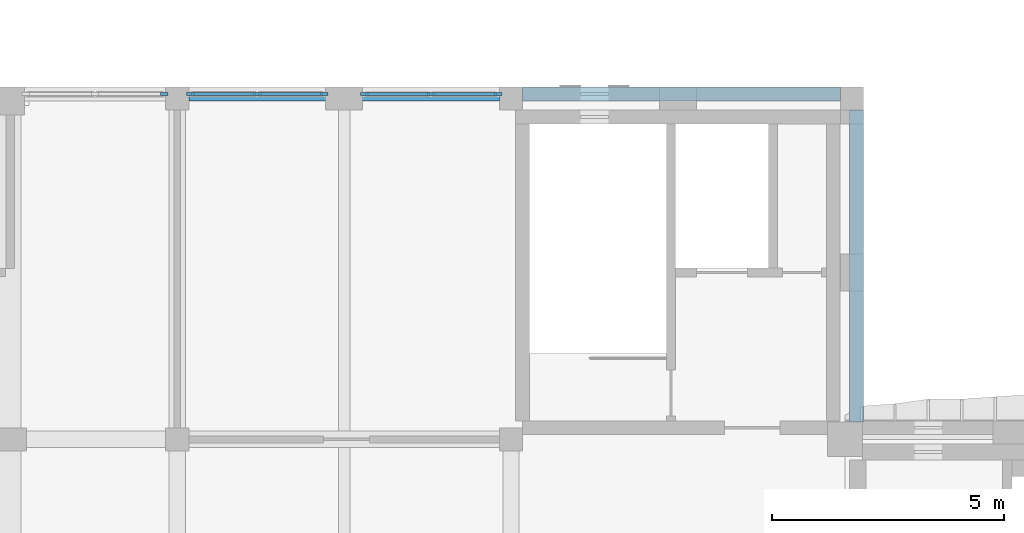
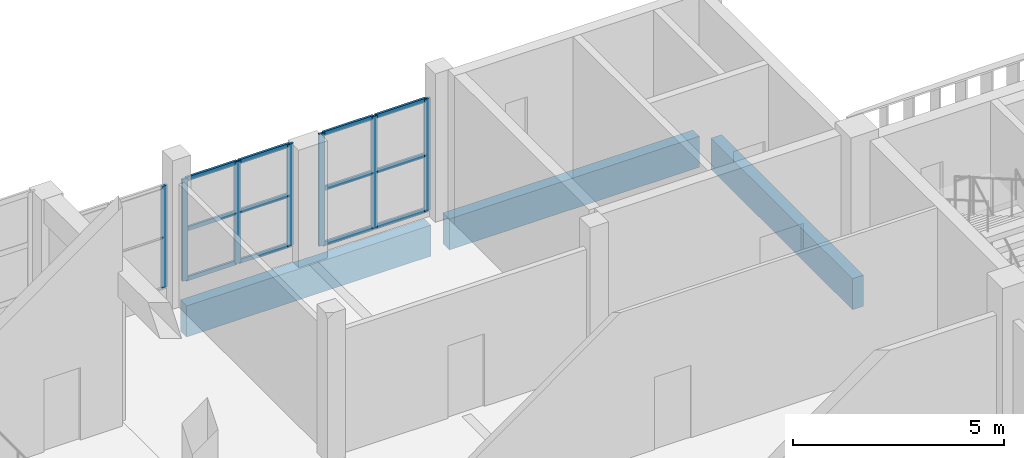
# One storey, part 11 of 54: 19 members, 3 beams, 3 elements without a shape of their own.
"""IFC4 building model written with IfcOpenShell, lengths in metres."""

from ifc_helpers import new_model, si_unit, direction, frame, origin, origin_2d, place, context, subcontext, project, spatial, rectangle, extrude, material, layer, layer_set, material_profile, profile_set, type_object, element, aggregate, save


model = new_model("IFC4")

# Units and contexts
model_context = context("Model", 3, precision=1e-05, world=origin(), true_north=direction((0.0, 1.0)))
body_context = subcontext(model_context, "Body", "Model", "MODEL_VIEW")
ifc_project = project(units=[si_unit("LENGTHUNIT", "METRE"), si_unit("AREAUNIT", "SQUARE_METRE"), si_unit("VOLUMEUNIT", "CUBIC_METRE"), si_unit("PLANEANGLEUNIT", "RADIAN"), si_unit("MASSUNIT", "GRAM", prefix="KILO")], contexts=[model_context])

# Site, building, storey
site_placement = place(None, origin())
site = spatial("IfcSite", under=ifc_project, at=site_placement, CompositionType="ELEMENT")
building_placement = place(site_placement, origin())
building = spatial("IfcBuilding", under=site, at=building_placement, Name="Ussher Court Research Institute", CompositionType="ELEMENT")
storey_placement = place(building_placement, frame((0.0, 0.0, 14.39990234375)))
storey = spatial("IfcBuildingStorey", under=building, at=storey_placement, Name="L03", CompositionType="ELEMENT", Elevation=14.39990234375)

# Curtain wall, member
ifc_material_1 = material(Name="Bronze anodised aluminium with solar-control glass", Category="aluminium")
ifc_layer_1 = layer(ifc_material_1, 0.1201171875)
ifc_layer_set_1 = layer_set([ifc_layer_1], Name="Bronze anodised aluminium with solar-control glass")
curtain_wall_type_1 = type_object("IfcCurtainWallType", Name="Curtain wall reading gallery front", PredefinedType="NOTDEFINED", material=ifc_layer_set_1)
curtain_wall_1_placement = place(storey_placement, origin())
curtain_wall_1 = element("IfcCurtainWall", 1, at=curtain_wall_1_placement, inside=storey, type_object=curtain_wall_type_1, Name="Curtain wall CW12 L03", PredefinedType="NOTDEFINED")
ifc_material_2 = material(Name="Bronze anodised aluminium", Category="aluminium")
ifc_material_profile_1 = material_profile(ifc_material_2, rectangle(XDim=0.06005859375, YDim=0.159912109375, at=origin_2d()), Name="Mullion 60x160")
ifc_profile_set_1 = profile_set([ifc_material_profile_1], Name="Bronze anodised aluminium")
member_type_1 = type_object("IfcMemberType", Name="Mullion 60x160", PredefinedType="MULLION", material=ifc_profile_set_1)
member_1_placement = place(storey_placement, frame((67.52001953125, 40.25, 0.4501953125), z_axis=(0.0, 0.0, 1.0), x_axis=(0.0, 1.0, 0.0)))
member_1 = element("IfcMember", 2, at=member_1_placement, type_object=member_type_1, Name="CW12 mullion 3", PredefinedType="MULLION", context=body_context, shape_type="SweptSolid", body=[
    extrude(rectangle(XDim=0.06005859375, YDim=0.159912109375, at=origin_2d()), origin(), (0.0, 0.0, 1.0), 2.949951171875),
])
aggregate(curtain_wall_1, [member_1])

# Curtain wall, members
curtain_wall_2_placement = place(storey_placement, origin())
curtain_wall_2 = element("IfcCurtainWall", 3, at=curtain_wall_2_placement, inside=storey, type_object=curtain_wall_type_1, Name="Curtain wall CW12 L03", PredefinedType="NOTDEFINED")
member_2_placement = place(storey_placement, frame((68.080078125, 40.25, 0.4501953125), z_axis=(0.0, 0.0, 1.0), x_axis=(0.0, 1.0, 0.0)))
member_2 = element("IfcMember", 4, at=member_2_placement, type_object=member_type_1, Name="CW12 mullion 1", PredefinedType="MULLION", context=body_context, shape_type="SweptSolid", body=[
    extrude(rectangle(XDim=0.06005859375, YDim=0.159912109375, at=origin_2d()), origin(), (0.0, 0.0, 1.0), 2.949951171875),
])
member_3_placement = place(storey_placement, frame((69.52490234375, 40.25, 0.4501953125), z_axis=(0.0, 0.0, 1.0), x_axis=(0.0, 1.0, 0.0)))
member_3 = element("IfcMember", 5, at=member_3_placement, type_object=member_type_1, Name="CW12 mullion 2", PredefinedType="MULLION", context=body_context, shape_type="SweptSolid", body=[
    extrude(rectangle(XDim=0.06005859375, YDim=0.159912109375, at=origin_2d()), origin(), (0.0, 0.0, 1.0), 2.949951171875),
])
member_4_placement = place(storey_placement, frame((70.969970703125, 40.25, 0.4501953125), z_axis=(0.0, 0.0, 1.0), x_axis=(0.0, 1.0, 0.0)))
member_4 = element("IfcMember", 6, at=member_4_placement, type_object=member_type_1, Name="CW12 mullion 3", PredefinedType="MULLION", context=body_context, shape_type="SweptSolid", body=[
    extrude(rectangle(XDim=0.06005859375, YDim=0.159912109375, at=origin_2d()), origin(), (0.0, 0.0, 1.0), 2.949951171875),
])

ifc_material_3 = material(Name="Bronze anodised aluminium with fire-resisting glass", Category="aluminium")
ifc_layer_2 = layer(ifc_material_3, 0.1201171875)
ifc_layer_set_2 = layer_set([ifc_layer_2], Name="Bronze anodised aluminium with fire-resisting glass")
curtain_wall_type_2 = type_object("IfcCurtainWallType", Name="Curtain wall stair-side fire-resisting glazing", PredefinedType="NOTDEFINED", material=ifc_layer_set_2)
curtain_wall_3_placement = place(storey_placement, origin())
curtain_wall_3 = element("IfcCurtainWall", 7, at=curtain_wall_3_placement, inside=storey, type_object=curtain_wall_type_2, Name="Curtain wall CW13 L03", PredefinedType="NOTDEFINED")
member_5_placement = place(storey_placement, frame((71.830078125, 40.25, 0.150146484375), z_axis=(0.0, 0.0, 1.0), x_axis=(0.0, 1.0, 0.0)))
member_5 = element("IfcMember", 8, at=member_5_placement, type_object=member_type_1, Name="CW13 mullion 1", PredefinedType="MULLION", context=body_context, shape_type="SweptSolid", body=[
    extrude(rectangle(XDim=0.06005859375, YDim=0.159912109375, at=origin_2d()), origin(), (0.0, 0.0, 1.0), 3.25),
])
member_6_placement = place(storey_placement, frame((73.27490234375, 40.25, 0.150146484375), z_axis=(0.0, 0.0, 1.0), x_axis=(0.0, 1.0, 0.0)))
member_6 = element("IfcMember", 9, at=member_6_placement, type_object=member_type_1, Name="CW13 mullion 2", PredefinedType="MULLION", context=body_context, shape_type="SweptSolid", body=[
    extrude(rectangle(XDim=0.06005859375, YDim=0.159912109375, at=origin_2d()), origin(), (0.0, 0.0, 1.0), 3.25),
])
member_7_placement = place(storey_placement, frame((74.719970703125, 40.25, 0.150146484375), z_axis=(0.0, 0.0, 1.0), x_axis=(0.0, 1.0, 0.0)))
member_7 = element("IfcMember", 10, at=member_7_placement, type_object=member_type_1, Name="CW13 mullion 3", PredefinedType="MULLION", context=body_context, shape_type="SweptSolid", body=[
    extrude(rectangle(XDim=0.06005859375, YDim=0.159912109375, at=origin_2d()), origin(), (0.0, 0.0, 1.0), 3.25),
])

# Beams
ifc_material_4 = material(Name="Concrete C35/45", Category="concrete")
ifc_material_profile_2 = material_profile(ifc_material_4, rectangle(XDim=0.300048828125, YDim=0.89990234375, at=origin_2d()), Name="RC 300x900")
ifc_profile_set_2 = profile_set([ifc_material_profile_2], Name="Concrete C35/45")
beam_type = type_object("IfcBeamType", Name="RC 300x900 beam", PredefinedType="BEAM", material=ifc_profile_set_2)
beam_1_placement = place(storey_placement, frame((68.050048828125, 40.25, -0.64990234375), z_axis=(1.0, 0.0, 0.0), x_axis=(0.0, 1.0, 0.0)))
element("IfcBeam", 11, at=beam_1_placement, inside=storey, type_object=beam_type, Name="SB2 V7 L03-09", PredefinedType="BEAM", context=body_context, shape_type="SweptSolid", body=[
    extrude(rectangle(XDim=0.300048828125, YDim=0.89990234375, at=origin_2d()), origin(), (0.0, 0.0, 1.0), 6.699951171875),
])
beam_2_placement = place(storey_placement, frame((75.25, 40.25, -0.64990234375), z_axis=(1.0, 0.0, 0.0), x_axis=(0.0, 1.0, 0.0)))
element("IfcBeam", 12, at=beam_2_placement, inside=storey, type_object=beam_type, Name="SB2 V7 L03-10", PredefinedType="BEAM", context=body_context, shape_type="SweptSolid", body=[
    extrude(rectangle(XDim=0.300048828125, YDim=0.89990234375, at=origin_2d()), origin(), (0.0, 0.0, 1.0), 6.85009765625),
])
beam_3_placement = place(storey_placement, frame((82.449951171875, 33.175048828125, -0.64990234375), z_axis=(0.0, 1.0, 0.0), x_axis=(-1.0, 0.0, 0.0)))
element("IfcBeam", 13, at=beam_3_placement, inside=storey, type_object=beam_type, Name="SB2 V7 L03-15", PredefinedType="BEAM", context=body_context, shape_type="SweptSolid", body=[
    extrude(rectangle(XDim=0.300048828125, YDim=0.89990234375, at=origin_2d()), origin(), (0.0, 0.0, 1.0), 6.724853515625),
])

# Member
ifc_material_5 = material(Name="Bronze anodised aluminium", Category="aluminium")
ifc_material_profile_3 = material_profile(ifc_material_5, rectangle(XDim=0.06005859375, YDim=0.1201171875, at=origin_2d()), Name="Transom 60x120")
ifc_profile_set_3 = profile_set([ifc_material_profile_3], Name="Bronze anodised aluminium")
member_type_2 = type_object("IfcMemberType", Name="Transom 60x120", PredefinedType="USERDEFINED", material=ifc_profile_set_3)
member_8_placement = place(storey_placement, frame((68.110107421875, 40.25, 0.47998046875), z_axis=(1.0, 0.0, 0.0), x_axis=(0.0, 1.0, 0.0)))
member_8 = element("IfcMember", 14, at=member_8_placement, type_object=member_type_2, Name="CW12 transom 1.1", ObjectType="TRANSOM", PredefinedType="USERDEFINED", context=body_context, shape_type="SweptSolid", body=[
    extrude(rectangle(XDim=0.06005859375, YDim=0.1201171875, at=origin_2d()), origin(), (0.0, 0.0, 1.0), 1.385009765625),
])

member_9_placement = place(storey_placement, frame((68.110107421875, 40.25, 1.925048828125), z_axis=(1.0, 0.0, 0.0), x_axis=(0.0, 1.0, 0.0)))
member_9 = element("IfcMember", 15, at=member_9_placement, type_object=member_type_2, Name="CW12 transom 1.2", ObjectType="TRANSOM", PredefinedType="USERDEFINED", context=body_context, shape_type="SweptSolid", body=[
    extrude(rectangle(XDim=0.06005859375, YDim=0.1201171875, at=origin_2d()), origin(), (0.0, 0.0, 1.0), 1.385009765625),
])

member_10_placement = place(storey_placement, frame((68.110107421875, 40.25, 3.3701171875), z_axis=(1.0, 0.0, 0.0), x_axis=(0.0, 1.0, 0.0)))
member_10 = element("IfcMember", 16, at=member_10_placement, type_object=member_type_2, Name="CW12 transom 1.3", ObjectType="TRANSOM", PredefinedType="USERDEFINED", context=body_context, shape_type="SweptSolid", body=[
    extrude(rectangle(XDim=0.06005859375, YDim=0.1201171875, at=origin_2d()), origin(), (0.0, 0.0, 1.0), 1.385009765625),
])

member_11_placement = place(storey_placement, frame((69.554931640625, 40.25, 0.47998046875), z_axis=(1.0, 0.0, 0.0), x_axis=(0.0, 1.0, 0.0)))
member_11 = element("IfcMember", 17, at=member_11_placement, type_object=member_type_2, Name="CW12 transom 2.1", ObjectType="TRANSOM", PredefinedType="USERDEFINED", context=body_context, shape_type="SweptSolid", body=[
    extrude(rectangle(XDim=0.06005859375, YDim=0.1201171875, at=origin_2d()), origin(), (0.0, 0.0, 1.0), 1.385009765625),
])

member_12_placement = place(storey_placement, frame((69.554931640625, 40.25, 1.925048828125), z_axis=(1.0, 0.0, 0.0), x_axis=(0.0, 1.0, 0.0)))
member_12 = element("IfcMember", 18, at=member_12_placement, type_object=member_type_2, Name="CW12 transom 2.2", ObjectType="TRANSOM", PredefinedType="USERDEFINED", context=body_context, shape_type="SweptSolid", body=[
    extrude(rectangle(XDim=0.06005859375, YDim=0.1201171875, at=origin_2d()), origin(), (0.0, 0.0, 1.0), 1.385009765625),
])

member_13_placement = place(storey_placement, frame((69.554931640625, 40.25, 3.3701171875), z_axis=(1.0, 0.0, 0.0), x_axis=(0.0, 1.0, 0.0)))
member_13 = element("IfcMember", 19, at=member_13_placement, type_object=member_type_2, Name="CW12 transom 2.3", ObjectType="TRANSOM", PredefinedType="USERDEFINED", context=body_context, shape_type="SweptSolid", body=[
    extrude(rectangle(XDim=0.06005859375, YDim=0.1201171875, at=origin_2d()), origin(), (0.0, 0.0, 1.0), 1.385009765625),
])

aggregate(curtain_wall_2, [member_2, member_3, member_4, member_8, member_9, member_10, member_11, member_12, member_13])

member_14_placement = place(storey_placement, frame((71.860107421875, 40.25, 0.18017578125), z_axis=(1.0, 0.0, 0.0), x_axis=(0.0, 1.0, 0.0)))
member_14 = element("IfcMember", 20, at=member_14_placement, type_object=member_type_2, Name="CW13 transom 1.1", ObjectType="TRANSOM", PredefinedType="USERDEFINED", context=body_context, shape_type="SweptSolid", body=[
    extrude(rectangle(XDim=0.06005859375, YDim=0.1201171875, at=origin_2d()), origin(), (0.0, 0.0, 1.0), 1.385009765625),
])

member_15_placement = place(storey_placement, frame((71.860107421875, 40.25, 1.775146484375), z_axis=(1.0, 0.0, 0.0), x_axis=(0.0, 1.0, 0.0)))
member_15 = element("IfcMember", 21, at=member_15_placement, type_object=member_type_2, Name="CW13 transom 1.2", ObjectType="TRANSOM", PredefinedType="USERDEFINED", context=body_context, shape_type="SweptSolid", body=[
    extrude(rectangle(XDim=0.06005859375, YDim=0.1201171875, at=origin_2d()), origin(), (0.0, 0.0, 1.0), 1.385009765625),
])

member_16_placement = place(storey_placement, frame((71.860107421875, 40.25, 3.3701171875), z_axis=(1.0, 0.0, 0.0), x_axis=(0.0, 1.0, 0.0)))
member_16 = element("IfcMember", 22, at=member_16_placement, type_object=member_type_2, Name="CW13 transom 1.3", ObjectType="TRANSOM", PredefinedType="USERDEFINED", context=body_context, shape_type="SweptSolid", body=[
    extrude(rectangle(XDim=0.06005859375, YDim=0.1201171875, at=origin_2d()), origin(), (0.0, 0.0, 1.0), 1.385009765625),
])

member_17_placement = place(storey_placement, frame((73.304931640625, 40.25, 0.18017578125), z_axis=(1.0, 0.0, 0.0), x_axis=(0.0, 1.0, 0.0)))
member_17 = element("IfcMember", 23, at=member_17_placement, type_object=member_type_2, Name="CW13 transom 2.1", ObjectType="TRANSOM", PredefinedType="USERDEFINED", context=body_context, shape_type="SweptSolid", body=[
    extrude(rectangle(XDim=0.06005859375, YDim=0.1201171875, at=origin_2d()), origin(), (0.0, 0.0, 1.0), 1.385009765625),
])

member_18_placement = place(storey_placement, frame((73.304931640625, 40.25, 1.775146484375), z_axis=(1.0, 0.0, 0.0), x_axis=(0.0, 1.0, 0.0)))
member_18 = element("IfcMember", 24, at=member_18_placement, type_object=member_type_2, Name="CW13 transom 2.2", ObjectType="TRANSOM", PredefinedType="USERDEFINED", context=body_context, shape_type="SweptSolid", body=[
    extrude(rectangle(XDim=0.06005859375, YDim=0.1201171875, at=origin_2d()), origin(), (0.0, 0.0, 1.0), 1.385009765625),
])

member_19_placement = place(storey_placement, frame((73.304931640625, 40.25, 3.3701171875), z_axis=(1.0, 0.0, 0.0), x_axis=(0.0, 1.0, 0.0)))
member_19 = element("IfcMember", 25, at=member_19_placement, type_object=member_type_2, Name="CW13 transom 2.3", ObjectType="TRANSOM", PredefinedType="USERDEFINED", context=body_context, shape_type="SweptSolid", body=[
    extrude(rectangle(XDim=0.06005859375, YDim=0.1201171875, at=origin_2d()), origin(), (0.0, 0.0, 1.0), 1.385009765625),
])

aggregate(curtain_wall_3, [member_5, member_6, member_7, member_14, member_15, member_16, member_17, member_18, member_19])

save(model, "model.ifc")
